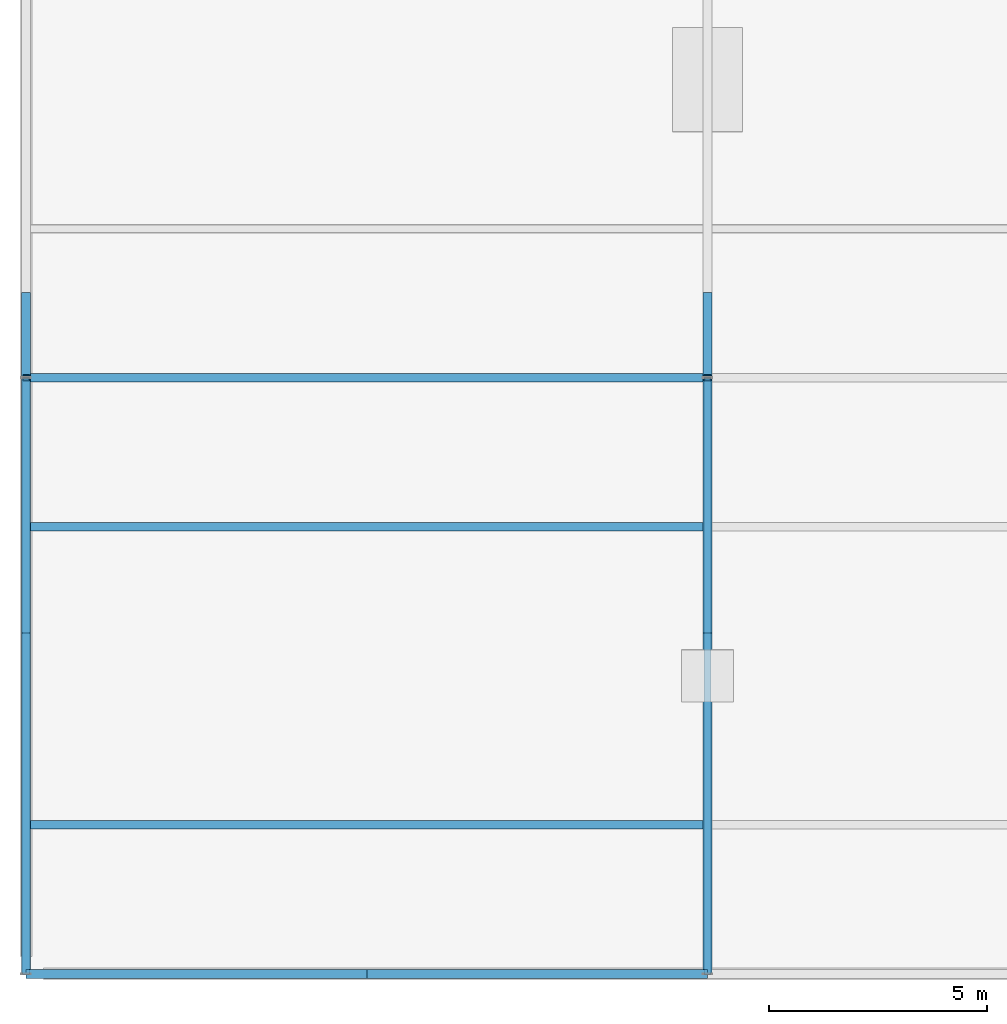
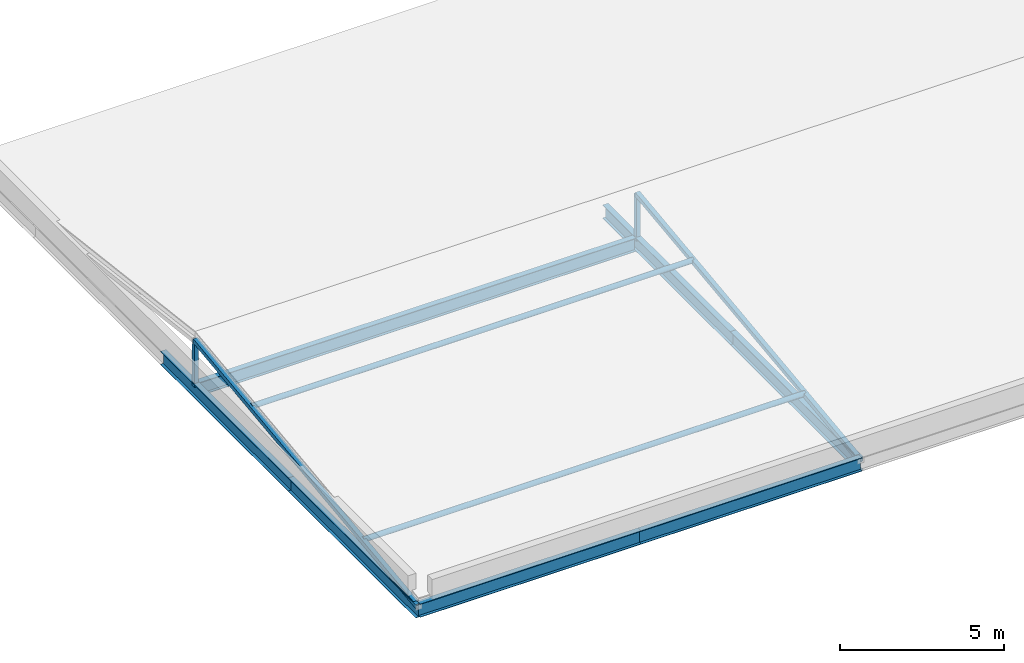
# One storey, part 2 of 21: 7 beams, 6 members.
"""IFC4 building model written with IfcOpenShell, lengths in metres."""

from ifc_helpers import new_model, si_unit, direction, frame, origin, origin_2d, place, context, subcontext, project, spatial, hollow_rectangle, hollow_circle, i_section, extrude, material, material_profile, profile_set, type_object, element, save


model = new_model("IFC4")

# Units and contexts
model_context = context("Model", 3, precision=1e-05, world=origin(), true_north=direction((0.0, 1.0)))
body_context = subcontext(model_context, "Body", "Model", "MODEL_VIEW")
ifc_project = project(units=[si_unit("LENGTHUNIT", "METRE"), si_unit("AREAUNIT", "SQUARE_METRE"), si_unit("VOLUMEUNIT", "CUBIC_METRE"), si_unit("PLANEANGLEUNIT", "RADIAN"), si_unit("MASSUNIT", "GRAM", prefix="KILO")], contexts=[model_context])

# Site, building, storey
site_placement = place(None, origin())
site = spatial("IfcSite", under=ifc_project, at=site_placement, CompositionType="ELEMENT")
building_placement = place(site_placement, origin())
building = spatial("IfcBuilding", under=site, at=building_placement, Name="Celorna Specialist Clinic", CompositionType="ELEMENT")
storey_placement = place(building_placement, frame((0.0, 0.0, 23.10009765625)))
storey = spatial("IfcBuildingStorey", under=building, at=storey_placement, Name="L05", CompositionType="ELEMENT", Elevation=23.10009765625)

# Beams
ifc_material = material(Name="Steel S355", Category="steel")
ifc_material_profile_1 = material_profile(ifc_material, i_section(OverallWidth=0.199951171875, OverallDepth=0.5, WebThickness=0.01025390625, FlangeThickness=0.01611328125, at=origin_2d()), Name="IPE 500")
ifc_profile_set_1 = profile_set([ifc_material_profile_1], Name="Steel S355")
beam_type = type_object("IfcBeamType", Name="BM-08", PredefinedType="BEAM", material=ifc_profile_set_1)
beam_placement = place(storey_placement, frame((0.0, 13.64990234375, -0.35009765625), z_axis=(1.0, 0.0, 0.0), x_axis=(0.0, 1.0, 0.0)))
element("IfcBeam", 1, at=beam_placement, inside=storey, type_object=beam_type, Name="V5 roof ridge support girder", PredefinedType="BEAM", context=body_context, shape_type="SweptSolid", body=[
    extrude(i_section(OverallWidth=0.199951171875, OverallDepth=0.5, WebThickness=0.01025390625, FlangeThickness=0.01611328125, at=origin_2d()), origin(), (0.0, 0.0, 1.0), 15.5048828125),
])
for number, where, z_axis, x_axis, name in (
    (2, (0.0, 0.0, -0.35009765625), (0.0, 1.0, 0.0), (-1.0, 0.0, 0.0), "V5 roof transverse girder"),
    (3, (15.60009765625, 0.0, -0.35009765625), (0.0, 1.0, 0.0), (-1.0, 0.0, 0.0), "V5 roof transverse girder"),
    (4, (0.0, 7.800048828125, -0.35009765625), (0.0, 1.0, 0.0), (-1.0, 0.0, 0.0), "V5 roof transverse girder"),
    (5, (15.60009765625, 7.800048828125, -0.35009765625), (0.0, 1.0, 0.0), (-1.0, 0.0, 0.0), "V5 roof transverse girder"),
    (6, (0.0, 0.0, -0.300048828125), (1.0, 0.0, 0.0), (0.0, 1.0, 0.0), "V5 roof perimeter girder X=0.0"),
    (7, (7.800048828125, 0.0, -0.300048828125), (1.0, 0.0, 0.0), (0.0, 1.0, 0.0), "V5 roof perimeter girder X=7.8"),
):
    element("IfcBeam", number, at=place(storey_placement, frame(where, z_axis=z_axis, x_axis=x_axis)), inside=storey, type_object=beam_type, Name=name, PredefinedType="BEAM", context=body_context, shape_type="SweptSolid", body=[
        extrude(i_section(OverallWidth=0.199951171875, OverallDepth=0.5, WebThickness=0.01025390625, FlangeThickness=0.01611328125, at=origin_2d()), origin(), (0.0, 0.0, 1.0), 7.800048828125),
    ])

# Members
ifc_material_profile_2 = material_profile(ifc_material, hollow_circle(Radius=0.096923828125, WallThickness=0.010009765625, at=origin_2d()), Name="CHS 193.7x10")
ifc_profile_set_2 = profile_set([ifc_material_profile_2], Name="Steel S355")
member_type_1 = type_object("IfcMemberType", Name="MB-04", PredefinedType="PURLIN", material=ifc_profile_set_2)
for number, where, z_axis, x_axis, name in (
    (8, (0.0, 3.41259765625, 0.225341796875), (1.0, 0.0, 0.0), (0.0, 1.0, 0.0), "Roof purlin WP-332-WP-333"),
    (9, (0.0, 10.237548828125, 1.060302734375), (1.0, 0.0, 0.0), (0.0, 1.0, 0.0), "Roof purlin WP-335-WP-336"),
):
    element("IfcMember", number, at=place(storey_placement, frame(where, z_axis=z_axis, x_axis=x_axis)), inside=storey, type_object=member_type_1, Name=name, PredefinedType="PURLIN", context=body_context, shape_type="SweptSolid", body=[
        extrude(hollow_circle(Radius=0.096923828125, WallThickness=0.010009765625, at=origin_2d()), origin(), (0.0, 0.0, 1.0), 15.60009765625),
    ])
ifc_material_profile_3 = material_profile(ifc_material, hollow_rectangle(XDim=0.159912109375, YDim=0.159912109375, WallThickness=0.010009765625, at=origin_2d()), Name="SHS 160x160x10")
ifc_profile_set_3 = profile_set([ifc_material_profile_3], Name="Steel S355")
member_type_2 = type_object("IfcMemberType", Name="MB-09", PredefinedType="CHORD", material=ifc_profile_set_3)
for number, where, z_axis, x_axis, name in (
    (10, (0.0, 0.0, -0.2021484375), (0.0, 0.992597355825, 0.121451592044), (-1.0, 0.0, 0.0), "Pitched roof rafter chord WP-326-WP-327"),
    (11, (15.60009765625, 0.0, -0.2021484375), (0.0, 0.992597355825, 0.121451592044), (-1.0, 0.0, 0.0), "Pitched roof rafter chord WP-328-WP-329"),
):
    element("IfcMember", number, at=place(storey_placement, frame(where, z_axis=z_axis, x_axis=x_axis)), inside=storey, type_object=member_type_2, Name=name, PredefinedType="CHORD", context=body_context, shape_type="SweptSolid", body=[
        extrude(hollow_rectangle(XDim=0.159912109375, YDim=0.159912109375, WallThickness=0.010009765625, at=origin_2d()), origin(), (0.0, 0.0, 1.0), 13.751708984375),
    ])
ifc_material_profile_4 = material_profile(ifc_material, hollow_rectangle(XDim=0.139892578125, YDim=0.139892578125, WallThickness=0.008056640625, at=origin_2d()), Name="SHS 140x140x8")
ifc_profile_set_4 = profile_set([ifc_material_profile_4], Name="Steel S355")
member_type_3 = type_object("IfcMemberType", Name="MB-10", PredefinedType="CHORD", material=ifc_profile_set_4)
for number, where, z_axis, x_axis, name in (
    (12, (0.0, 13.64990234375, -0.25), (0.0, 0.0, 1.0), (1.0, 0.0, 0.0), "Roof ridge/eave support post ROOF-V5-SOUTH"),
    (13, (15.60009765625, 13.64990234375, -0.25), (0.0, 0.0, 1.0), (1.0, 0.0, 0.0), "Roof ridge/eave support post ROOF-V5-SOUTH"),
):
    element("IfcMember", number, at=place(storey_placement, frame(where, z_axis=z_axis, x_axis=x_axis)), inside=storey, type_object=member_type_3, Name=name, PredefinedType="CHORD", context=body_context, shape_type="SweptSolid", body=[
        extrude(hollow_rectangle(XDim=0.139892578125, YDim=0.139892578125, WallThickness=0.008056640625, at=origin_2d()), origin(), (0.0, 0.0, 1.0), 1.718017578125),
    ])

save(model, "model.ifc")
